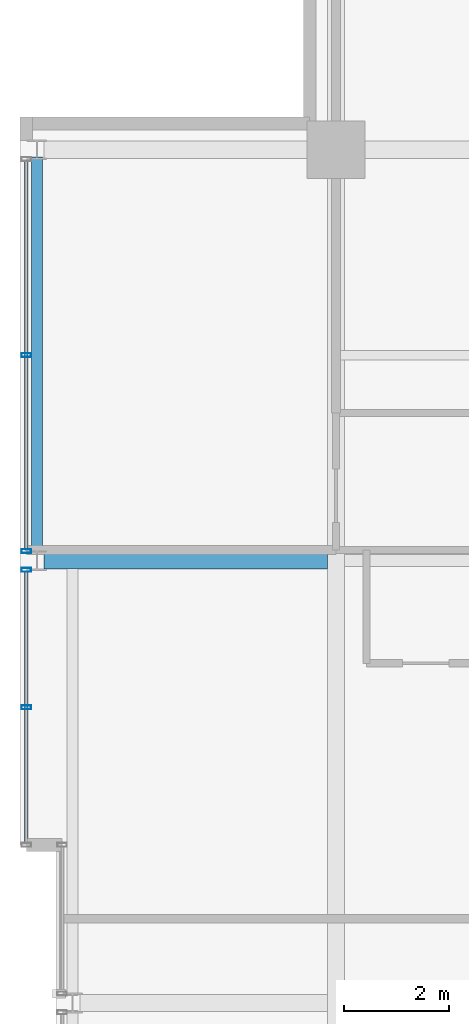
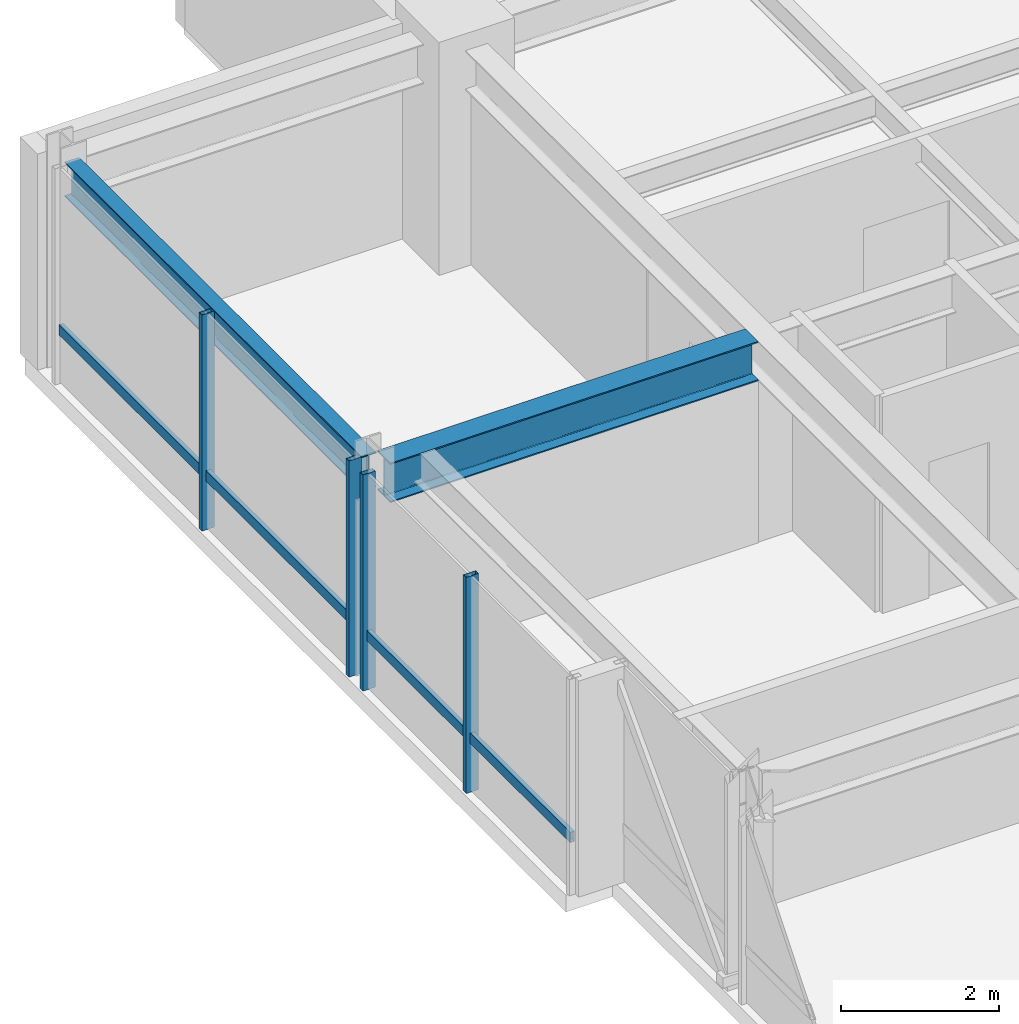
# One storey, part 18 of 33: 6 members, 2 beams, 2 elements without a shape of their own.
"""IFC4 building model written with IfcOpenShell, lengths in metres."""

from ifc_helpers import new_model, si_unit, direction, frame, origin, origin_2d, place, context, subcontext, project, spatial, hollow_rectangle, i_section, extrude, material, layer, layer_set, material_profile, profile_set, type_object, element, aggregate, save


model = new_model("IFC4")

# Units and contexts
model_context = context("Model", 3, precision=1e-05, world=origin(), true_north=direction((0.0, 1.0)))
body_context = subcontext(model_context, "Body", "Model", "MODEL_VIEW")
ifc_project = project(units=[si_unit("LENGTHUNIT", "METRE"), si_unit("AREAUNIT", "SQUARE_METRE"), si_unit("VOLUMEUNIT", "CUBIC_METRE"), si_unit("PLANEANGLEUNIT", "RADIAN"), si_unit("MASSUNIT", "GRAM", prefix="KILO")], contexts=[model_context])

# Site, building, storey
site_placement = place(None, origin())
site = spatial("IfcSite", under=ifc_project, at=site_placement, CompositionType="ELEMENT")
building_placement = place(site_placement, origin())
building = spatial("IfcBuilding", under=site, at=building_placement, Name="Drelvath Grand Hotel", CompositionType="ELEMENT")
storey_placement = place(building_placement, frame((0.0, 0.0, 248.300048828125)))
storey = spatial("IfcBuildingStorey", under=building, at=storey_placement, Name="L65", CompositionType="ELEMENT", Elevation=248.300048828125)

# Curtain wall, member
ifc_material_1 = material(Name="Platinum-Mist Anodised Aluminium Frame", Category="aluminium")
ifc_layer = layer(ifc_material_1, 0.199951171875)
ifc_layer_set = layer_set([ifc_layer], Name="Platinum-Mist Anodised Aluminium Frame")
curtain_wall_type = type_object("IfcCurtainWallType", Name="Stick Curtain Wall CW-05 Platinum Mist High-Rise", PredefinedType="NOTDEFINED", material=ifc_layer_set)
curtain_wall_1_placement = place(storey_placement, origin())
curtain_wall_1 = element("IfcCurtainWall", 1, at=curtain_wall_1_placement, inside=storey, type_object=curtain_wall_type, Name="L65 CW-05 Curtain Wall CW05-L65-WN1", PredefinedType="NOTDEFINED")
ifc_material_profile_1 = material_profile(ifc_material_1, hollow_rectangle(XDim=0.06494140625, YDim=0.159912109375, WallThickness=0.00390625, at=origin_2d()), Name="HSS160X65X4")
ifc_profile_set_1 = profile_set([ifc_material_profile_1], Name="Platinum-Mist Anodised Aluminium Frame")
member_type_1 = type_object("IfcMemberType", Name="Curtain Wall Horizontal Transom CW-05 HSS160X65X4", PredefinedType="USERDEFINED", material=ifc_profile_set_1)
member_1_placement = place(storey_placement, frame((-22.080078125, 30.0400390625, 0.8349609375), z_axis=(0.0, 1.0, 0.0), x_axis=(-1.0, 0.0, 0.0)))
member_1 = element("IfcMember", 2, at=member_1_placement, type_object=member_type_1, Name="CW05-L65-WN1 Sill Transom", ObjectType="TRANSOM", PredefinedType="USERDEFINED", context=body_context, shape_type="SweptSolid", body=[
    extrude(hollow_rectangle(XDim=0.06494140625, YDim=0.159912109375, WallThickness=0.00390625, at=origin_2d()), origin(), (0.0, 0.0, 1.0), 5.141845703125),
])

curtain_wall_2_placement = place(storey_placement, origin())
curtain_wall_2 = element("IfcCurtainWall", 3, at=curtain_wall_2_placement, inside=storey, type_object=curtain_wall_type, Name="L65 CW-05 Curtain Wall CW05-L65-WN2", PredefinedType="NOTDEFINED")
member_2_placement = place(storey_placement, frame((-22.080078125, 35.6181640625, 0.8349609375), z_axis=(0.0, 1.0, 0.0), x_axis=(-1.0, 0.0, 0.0)))
member_2 = element("IfcMember", 4, at=member_2_placement, type_object=member_type_1, Name="CW05-L65-WN2 Sill Transom", ObjectType="TRANSOM", PredefinedType="USERDEFINED", context=body_context, shape_type="SweptSolid", body=[
    extrude(hollow_rectangle(XDim=0.06494140625, YDim=0.159912109375, WallThickness=0.00390625, at=origin_2d()), origin(), (0.0, 0.0, 1.0), 7.363525390625),
])

# Member
ifc_material_profile_2 = material_profile(ifc_material_1, hollow_rectangle(XDim=0.074951171875, YDim=0.179931640625, WallThickness=0.0048828125, at=origin_2d()), Name="HSS180X75X5")
ifc_profile_set_2 = profile_set([ifc_material_profile_2], Name="Platinum-Mist Anodised Aluminium Frame")
member_type_2 = type_object("IfcMemberType", Name="Curtain Wall Vertical Mullion CW-05 HSS180X75X5", PredefinedType="MULLION", material=ifc_profile_set_2)
member_3_placement = place(storey_placement, frame((-22.080078125, 32.61083984375, 0.0), z_axis=(0.0, 0.0, 1.0), x_axis=(0.0, 1.0, 0.0)))
member_3 = element("IfcMember", 5, at=member_3_placement, type_object=member_type_2, Name="CW05-L65-WN1 Mullion 2", PredefinedType="MULLION", context=body_context, shape_type="SweptSolid", body=[
    extrude(hollow_rectangle(XDim=0.074951171875, YDim=0.179931640625, WallThickness=0.0048828125, at=origin_2d()), origin(), (0.0, 0.0, 1.0), 3.33984375),
])

member_4_placement = place(storey_placement, frame((-22.080078125, 35.2216796875, 0.0), z_axis=(0.0, 0.0, 1.0), x_axis=(0.0, 1.0, 0.0)))
member_4 = element("IfcMember", 6, at=member_4_placement, type_object=member_type_2, Name="CW05-L65-WN1 Mullion 3", PredefinedType="MULLION", context=body_context, shape_type="SweptSolid", body=[
    extrude(hollow_rectangle(XDim=0.074951171875, YDim=0.179931640625, WallThickness=0.0048828125, at=origin_2d()), origin(), (0.0, 0.0, 1.0), 3.33984375),
])

aggregate(curtain_wall_1, [member_3, member_4, member_1])

member_5_placement = place(storey_placement, frame((-22.080078125, 35.578125, 0.0), z_axis=(0.0, 0.0, 1.0), x_axis=(0.0, 1.0, 0.0)))
member_5 = element("IfcMember", 7, at=member_5_placement, type_object=member_type_2, Name="CW05-L65-WN2 Mullion 1", PredefinedType="MULLION", context=body_context, shape_type="SweptSolid", body=[
    extrude(hollow_rectangle(XDim=0.074951171875, YDim=0.179931640625, WallThickness=0.0048828125, at=origin_2d()), origin(), (0.0, 0.0, 1.0), 3.33984375),
])

member_6_placement = place(storey_placement, frame((-22.080078125, 39.300048828125, 0.0), z_axis=(0.0, 0.0, 1.0), x_axis=(0.0, 1.0, 0.0)))
member_6 = element("IfcMember", 8, at=member_6_placement, type_object=member_type_2, Name="CW05-L65-WN2 Mullion 2", PredefinedType="MULLION", context=body_context, shape_type="SweptSolid", body=[
    extrude(hollow_rectangle(XDim=0.074951171875, YDim=0.179931640625, WallThickness=0.0048828125, at=origin_2d()), origin(), (0.0, 0.0, 1.0), 3.33984375),
])

aggregate(curtain_wall_2, [member_5, member_6, member_2])

# Beams
ifc_material_2 = material(Name="Steel ASTM A992 Gr 50", Category="steel")
ifc_material_profile_3 = material_profile(ifc_material_2, i_section(OverallWidth=0.210205078125, OverallDepth=0.53662109375, WebThickness=0.010986328125, FlangeThickness=0.017333984375, FilletRadius=0.01806640625, at=origin_2d()), Name="W21X68")
ifc_profile_set_3 = profile_set([ifc_material_profile_3], Name="Steel ASTM A992 Gr 50")
beam_type_1 = type_object("IfcBeamType", Name="Perimeter Spandrel Beam W21X68", PredefinedType="SPANDREL", material=ifc_profile_set_3)
beam_1_placement = place(storey_placement, frame((-21.8798828125, 35.5400390625, 3.071533203125), z_axis=(0.0, 1.0, 0.0), x_axis=(-1.0, 0.0, 0.0)))
element("IfcBeam", 9, at=beam_1_placement, inside=storey, type_object=beam_type_1, Name="L65 Spandrel West N", PredefinedType="SPANDREL", context=body_context, shape_type="SweptSolid", body=[
    extrude(i_section(OverallWidth=0.210205078125, OverallDepth=0.53662109375, WebThickness=0.010986328125, FlangeThickness=0.017333984375, FilletRadius=0.01806640625, at=origin_2d()), origin(), (0.0, 0.0, 1.0), 7.52001953125),
])
ifc_material_profile_4 = material_profile(ifc_material_2, i_section(OverallWidth=0.323974609375, OverallDepth=0.611083984375, WebThickness=0.0126953125, FlangeThickness=0.01904296875, FilletRadius=0.02197265625, at=origin_2d()), Name="W24X104")
ifc_profile_set_4 = profile_set([ifc_material_profile_4], Name="Steel ASTM A992 Gr 50")
beam_type_2 = type_object("IfcBeamType", Name="Primary Floor Girder W24X104", PredefinedType="BEAM", material=ifc_profile_set_4)
beam_2_placement = place(storey_placement, frame((-21.739990234375, 35.39990234375, 3.034423828125), z_axis=(1.0, 0.0, 0.0), x_axis=(0.0, 1.0, 0.0)))
element("IfcBeam", 10, at=beam_2_placement, inside=storey, type_object=beam_type_2, Name="L65 West Wing Girder F", PredefinedType="BEAM", context=body_context, shape_type="SweptSolid", body=[
    extrude(i_section(OverallWidth=0.323974609375, OverallDepth=0.611083984375, WebThickness=0.0126953125, FlangeThickness=0.01904296875, FilletRadius=0.02197265625, at=origin_2d()), origin(), (0.0, 0.0, 1.0), 5.3779296875),
])

save(model, "model.ifc")
